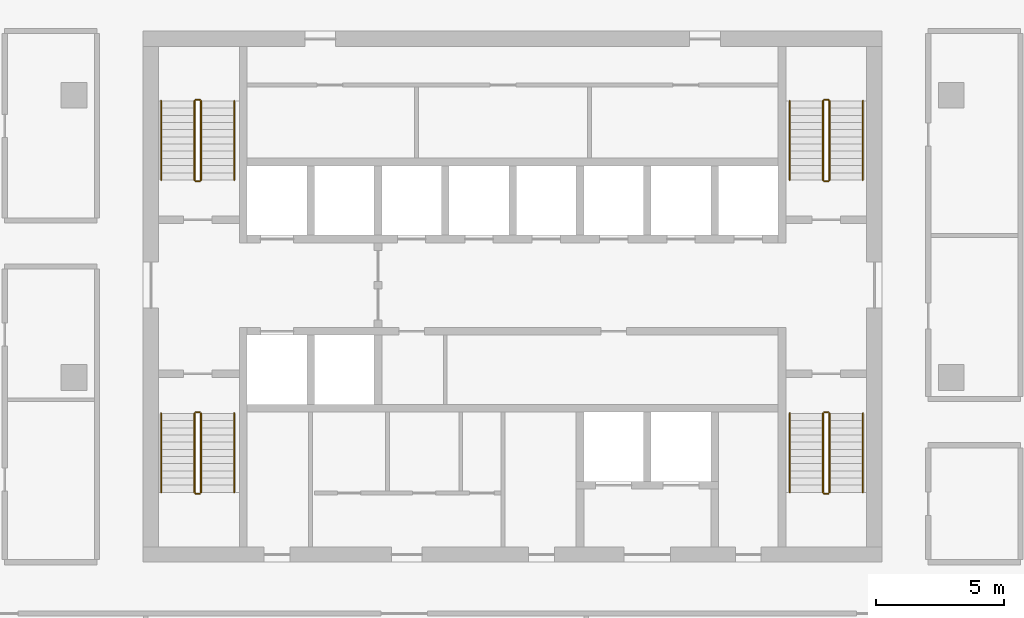
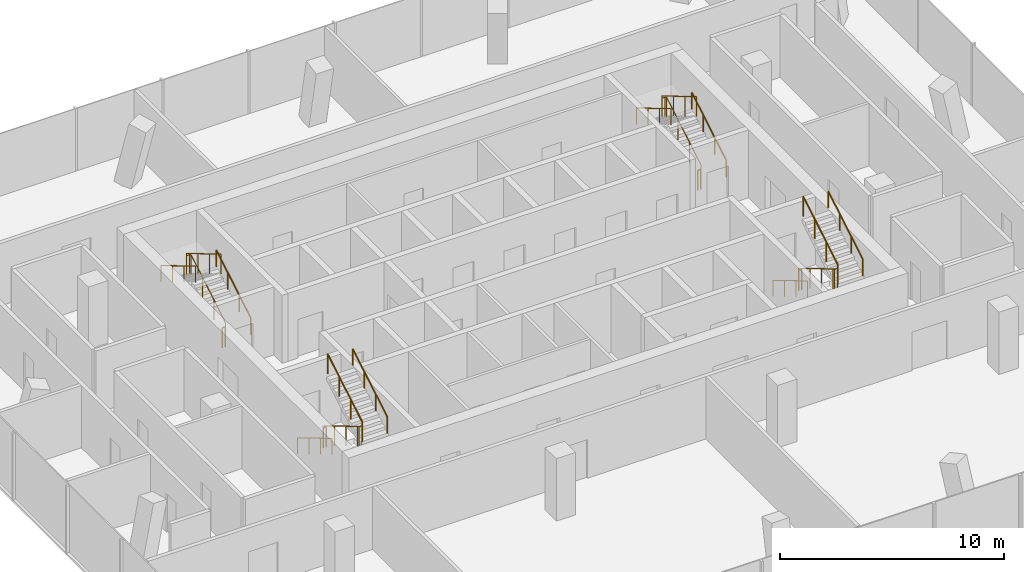
# One storey, part 11 of 11: 20 railings.
"""IFC4 building model written with IfcOpenShell, lengths in metres."""

from ifc_helpers import new_model, si_unit, direction, frame, origin, origin_2d, place, context, subcontext, project, spatial, circle, extrude, material, type_object, element, save


model = new_model("IFC4")

# Units and contexts
model_context = context("Model", 3, precision=1e-05, world=origin(), true_north=direction((0.0, 1.0)))
body_context = subcontext(model_context, "Body", "Model", "MODEL_VIEW")
ifc_project = project(units=[si_unit("LENGTHUNIT", "METRE"), si_unit("AREAUNIT", "SQUARE_METRE"), si_unit("VOLUMEUNIT", "CUBIC_METRE"), si_unit("PLANEANGLEUNIT", "RADIAN"), si_unit("MASSUNIT", "GRAM", prefix="KILO")], contexts=[model_context])

# Site, building, storey
site_placement = place(None, origin())
site = spatial("IfcSite", under=ifc_project, at=site_placement, CompositionType="ELEMENT")
building_placement = place(site_placement, origin())
building = spatial("IfcBuilding", under=site, at=building_placement, Name="Mopane Tessera Tower", CompositionType="ELEMENT")
storey_placement = place(building_placement, frame((0.0, 0.0, 333.39990234375)))
storey = spatial("IfcBuildingStorey", under=building, at=storey_placement, Name="L73", CompositionType="ELEMENT", Elevation=333.39990234375)

# Railings
ifc_material_1 = material(Name="Powder-coated steel balustrade", Category="steel")
railing_type_1 = type_object("IfcRailingType", Name="Escape stair guard 1100 mm", PredefinedType="GUARDRAIL", material=ifc_material_1)
railing_1_placement = place(storey_placement, frame((-12.39990234375, -1.39990234375, 0.166748046875)))
element("IfcRailing", 1, at=railing_1_placement, inside=storey, type_object=railing_type_1, Name="L73 ST1 stair guard 1", PredefinedType="GUARDRAIL", context=body_context, shape_type="SweptSolid", body=[
    extrude(circle(Radius=0.02392578125, at=origin_2d()), frame((0.0, 0.0, 1.076171875), z_axis=(0.0, -0.859308565015, 0.511457515432), x_axis=(1.0, 0.0, 0.0)), (0.0, 0.0, 1.0), 3.58447265625),
    extrude(circle(Radius=0.02392578125, at=origin_2d()), frame((0.0, -3.080078125, 2.9091796875), z_axis=(0.705375805398, -0.708833529934, 0.0), x_axis=(0.708833529934, 0.705375805398, 0.0)), (0.0, 0.0, 1.0), 0.070556640625),
    extrude(circle(Radius=0.02392578125, at=origin_2d()), frame((0.0498046875, -3.130126953125, 2.9091796875), z_axis=(1.0, 0.0, 0.0), x_axis=(0.0, 1.0, 0.0)), (0.0, 0.0, 1.0), 0.150146484375),
    extrude(circle(Radius=0.02099609375, at=origin_2d()), origin(), (0.0, 0.0, 1.0), 1.052001953125),
    extrude(circle(Radius=0.02099609375, at=origin_2d()), frame((0.0, -1.026611328125, 0.611083984375)), (0.0, 0.0, 1.0), 1.052001953125),
    extrude(circle(Radius=0.02099609375, at=origin_2d()), frame((0.0, -2.053466796875, 1.22216796875)), (0.0, 0.0, 1.0), 1.052001953125),
    extrude(circle(Radius=0.02099609375, at=origin_2d()), frame((0.0, -3.080078125, 1.833251953125)), (0.0, 0.0, 1.0), 1.052001953125),
    extrude(circle(Radius=0.02099609375, at=origin_2d()), frame((0.0498046875, -3.130126953125, 1.833251953125)), (0.0, 0.0, 1.0), 1.052001953125),
    extrude(circle(Radius=0.02099609375, at=origin_2d()), frame((0.199951171875, -3.130126953125, 1.833251953125)), (0.0, 0.0, 1.0), 1.052001953125),
])
railing_2_placement = place(storey_placement, frame((-12.14990234375, -4.47998046875, 2.166748046875)))
element("IfcRailing", 2, at=railing_2_placement, inside=storey, type_object=railing_type_1, Name="L73 ST1 stair guard 2", PredefinedType="GUARDRAIL", context=body_context, shape_type="SweptSolid", body=[
    extrude(circle(Radius=0.02392578125, at=origin_2d()), frame((0.0, 0.0, 1.076171875), z_axis=(0.0, 0.859308565015, 0.511457515432), x_axis=(-1.0, 0.0, 0.0)), (0.0, 0.0, 1.0), 3.58447265625),
    extrude(circle(Radius=0.02099609375, at=origin_2d()), origin(), (0.0, 0.0, 1.0), 1.052001953125),
    extrude(circle(Radius=0.02099609375, at=origin_2d()), frame((0.0, 1.026611328125, 0.611083984375)), (0.0, 0.0, 1.0), 1.052001953125),
    extrude(circle(Radius=0.02099609375, at=origin_2d()), frame((0.0, 2.053466796875, 1.22216796875)), (0.0, 0.0, 1.0), 1.052001953125),
    extrude(circle(Radius=0.02099609375, at=origin_2d()), frame((0.0, 3.080078125, 1.833251953125)), (0.0, 0.0, 1.0), 1.052001953125),
])
railing_3_placement = place(storey_placement, frame((-12.35009765625, -1.35009765625, 0.0)))
element("IfcRailing", 3, at=railing_3_placement, inside=storey, type_object=railing_type_1, Name="L73 ST1 stair guard 3", PredefinedType="GUARDRAIL", context=body_context, shape_type="SweptSolid", body=[
    extrude(circle(Radius=0.02392578125, at=origin_2d()), frame((0.0, 0.0, 1.076171875), z_axis=(1.0, 0.0, 0.0), x_axis=(0.0, 1.0, 0.0)), (0.0, 0.0, 1.0), 0.150146484375),
    extrude(circle(Radius=0.02099609375, at=origin_2d()), origin(), (0.0, 0.0, 1.0), 1.052001953125),
    extrude(circle(Radius=0.02099609375, at=origin_2d()), frame((0.150146484375, 0.0, 0.0)), (0.0, 0.0, 1.0), 1.052001953125),
])
railing_4_placement = place(storey_placement, frame((-12.14990234375, 7.699951171875, 0.166748046875)))
element("IfcRailing", 4, at=railing_4_placement, inside=storey, type_object=railing_type_1, Name="L73 ST2 stair guard 1", PredefinedType="GUARDRAIL", context=body_context, shape_type="SweptSolid", body=[
    extrude(circle(Radius=0.02392578125, at=origin_2d()), frame((0.0, 0.0, 1.076171875), z_axis=(0.0, 0.859308565015, 0.511457515432), x_axis=(-1.0, 0.0, 0.0)), (0.0, 0.0, 1.0), 3.58447265625),
    extrude(circle(Radius=0.02392578125, at=origin_2d()), frame((0.0, 3.080078125, 2.9091796875), z_axis=(-0.707106781187, 0.707106781187, 0.0), x_axis=(-0.707106781187, -0.707106781187, 0.0)), (0.0, 0.0, 1.0), 0.07080078125),
    extrude(circle(Radius=0.02392578125, at=origin_2d()), frame((-0.050048828125, 3.130126953125, 2.9091796875), z_axis=(-1.0, 0.0, 0.0), x_axis=(0.0, -1.0, 0.0)), (0.0, 0.0, 1.0), 0.150146484375),
    extrude(circle(Radius=0.02099609375, at=origin_2d()), origin(), (0.0, 0.0, 1.0), 1.052001953125),
    extrude(circle(Radius=0.02099609375, at=origin_2d()), frame((0.0, 1.026611328125, 0.611083984375)), (0.0, 0.0, 1.0), 1.052001953125),
    extrude(circle(Radius=0.02099609375, at=origin_2d()), frame((0.0, 2.053466796875, 1.22216796875)), (0.0, 0.0, 1.0), 1.052001953125),
    extrude(circle(Radius=0.02099609375, at=origin_2d()), frame((0.0, 3.080078125, 1.833251953125)), (0.0, 0.0, 1.0), 1.052001953125),
    extrude(circle(Radius=0.02099609375, at=origin_2d()), frame((-0.050048828125, 3.130126953125, 1.833251953125)), (0.0, 0.0, 1.0), 1.052001953125),
    extrude(circle(Radius=0.02099609375, at=origin_2d()), frame((-0.2001953125, 3.130126953125, 1.833251953125)), (0.0, 0.0, 1.0), 1.052001953125),
])
railing_5_placement = place(storey_placement, frame((-12.39990234375, 10.780029296875, 2.166748046875)))
element("IfcRailing", 5, at=railing_5_placement, inside=storey, type_object=railing_type_1, Name="L73 ST2 stair guard 2", PredefinedType="GUARDRAIL", context=body_context, shape_type="SweptSolid", body=[
    extrude(circle(Radius=0.02392578125, at=origin_2d()), frame((0.0, 0.0, 1.076171875), z_axis=(0.0, -0.859308565015, 0.511457515432), x_axis=(1.0, 0.0, 0.0)), (0.0, 0.0, 1.0), 3.58447265625),
    extrude(circle(Radius=0.02099609375, at=origin_2d()), origin(), (0.0, 0.0, 1.0), 1.052001953125),
    extrude(circle(Radius=0.02099609375, at=origin_2d()), frame((0.0, -1.026611328125, 0.611083984375)), (0.0, 0.0, 1.0), 1.052001953125),
    extrude(circle(Radius=0.02099609375, at=origin_2d()), frame((0.0, -2.053466796875, 1.22216796875)), (0.0, 0.0, 1.0), 1.052001953125),
    extrude(circle(Radius=0.02099609375, at=origin_2d()), frame((0.0, -3.080078125, 1.833251953125)), (0.0, 0.0, 1.0), 1.052001953125),
])
railing_6_placement = place(storey_placement, frame((-12.199951171875, 7.64990234375, 0.0)))
element("IfcRailing", 6, at=railing_6_placement, inside=storey, type_object=railing_type_1, Name="L73 ST2 stair guard 3", PredefinedType="GUARDRAIL", context=body_context, shape_type="SweptSolid", body=[
    extrude(circle(Radius=0.02392578125, at=origin_2d()), frame((0.0, 0.0, 1.076171875), z_axis=(-1.0, 0.0, 0.0), x_axis=(0.0, -1.0, 0.0)), (0.0, 0.0, 1.0), 0.150146484375),
    extrude(circle(Radius=0.02099609375, at=origin_2d()), origin(), (0.0, 0.0, 1.0), 1.052001953125),
    extrude(circle(Radius=0.02099609375, at=origin_2d()), frame((-0.150146484375, 0.0, 0.0)), (0.0, 0.0, 1.0), 1.052001953125),
])
railing_7_placement = place(storey_placement, frame((12.10009765625, -1.39990234375, 0.166748046875)))
element("IfcRailing", 7, at=railing_7_placement, inside=storey, type_object=railing_type_1, Name="L73 ST3 stair guard 1", PredefinedType="GUARDRAIL", context=body_context, shape_type="SweptSolid", body=[
    extrude(circle(Radius=0.02392578125, at=origin_2d()), frame((0.0, 0.0, 1.076171875), z_axis=(0.0, -0.859308565015, 0.511457515432), x_axis=(1.0, 0.0, 0.0)), (0.0, 0.0, 1.0), 3.58447265625),
    extrude(circle(Radius=0.02392578125, at=origin_2d()), frame((0.0, -3.080078125, 2.9091796875), z_axis=(0.705375805398, -0.708833529934, 0.0), x_axis=(0.708833529934, 0.705375805398, 0.0)), (0.0, 0.0, 1.0), 0.070556640625),
    extrude(circle(Radius=0.02392578125, at=origin_2d()), frame((0.0498046875, -3.130126953125, 2.9091796875), z_axis=(1.0, 0.0, 0.0), x_axis=(0.0, 1.0, 0.0)), (0.0, 0.0, 1.0), 0.150146484375),
    extrude(circle(Radius=0.02099609375, at=origin_2d()), origin(), (0.0, 0.0, 1.0), 1.052001953125),
    extrude(circle(Radius=0.02099609375, at=origin_2d()), frame((0.0, -1.026611328125, 0.611083984375)), (0.0, 0.0, 1.0), 1.052001953125),
    extrude(circle(Radius=0.02099609375, at=origin_2d()), frame((0.0, -2.053466796875, 1.22216796875)), (0.0, 0.0, 1.0), 1.052001953125),
    extrude(circle(Radius=0.02099609375, at=origin_2d()), frame((0.0, -3.080078125, 1.833251953125)), (0.0, 0.0, 1.0), 1.052001953125),
    extrude(circle(Radius=0.02099609375, at=origin_2d()), frame((0.0498046875, -3.130126953125, 1.833251953125)), (0.0, 0.0, 1.0), 1.052001953125),
    extrude(circle(Radius=0.02099609375, at=origin_2d()), frame((0.199951171875, -3.130126953125, 1.833251953125)), (0.0, 0.0, 1.0), 1.052001953125),
])
railing_8_placement = place(storey_placement, frame((12.35009765625, -4.47998046875, 2.166748046875)))
element("IfcRailing", 8, at=railing_8_placement, inside=storey, type_object=railing_type_1, Name="L73 ST3 stair guard 2", PredefinedType="GUARDRAIL", context=body_context, shape_type="SweptSolid", body=[
    extrude(circle(Radius=0.02392578125, at=origin_2d()), frame((0.0, 0.0, 1.076171875), z_axis=(0.0, 0.859308565015, 0.511457515432), x_axis=(-1.0, 0.0, 0.0)), (0.0, 0.0, 1.0), 3.58447265625),
    extrude(circle(Radius=0.02099609375, at=origin_2d()), origin(), (0.0, 0.0, 1.0), 1.052001953125),
    extrude(circle(Radius=0.02099609375, at=origin_2d()), frame((0.0, 1.026611328125, 0.611083984375)), (0.0, 0.0, 1.0), 1.052001953125),
    extrude(circle(Radius=0.02099609375, at=origin_2d()), frame((0.0, 2.053466796875, 1.22216796875)), (0.0, 0.0, 1.0), 1.052001953125),
    extrude(circle(Radius=0.02099609375, at=origin_2d()), frame((0.0, 3.080078125, 1.833251953125)), (0.0, 0.0, 1.0), 1.052001953125),
])
railing_9_placement = place(storey_placement, frame((12.14990234375, -1.35009765625, 0.0)))
element("IfcRailing", 9, at=railing_9_placement, inside=storey, type_object=railing_type_1, Name="L73 ST3 stair guard 3", PredefinedType="GUARDRAIL", context=body_context, shape_type="SweptSolid", body=[
    extrude(circle(Radius=0.02392578125, at=origin_2d()), frame((0.0, 0.0, 1.076171875), z_axis=(1.0, 0.0, 0.0), x_axis=(0.0, 1.0, 0.0)), (0.0, 0.0, 1.0), 0.150146484375),
    extrude(circle(Radius=0.02099609375, at=origin_2d()), origin(), (0.0, 0.0, 1.0), 1.052001953125),
    extrude(circle(Radius=0.02099609375, at=origin_2d()), frame((0.150146484375, 0.0, 0.0)), (0.0, 0.0, 1.0), 1.052001953125),
])
railing_10_placement = place(storey_placement, frame((12.35009765625, 7.699951171875, 0.166748046875)))
element("IfcRailing", 10, at=railing_10_placement, inside=storey, type_object=railing_type_1, Name="L73 ST4 stair guard 1", PredefinedType="GUARDRAIL", context=body_context, shape_type="SweptSolid", body=[
    extrude(circle(Radius=0.02392578125, at=origin_2d()), frame((0.0, 0.0, 1.076171875), z_axis=(0.0, 0.859308565015, 0.511457515432), x_axis=(-1.0, 0.0, 0.0)), (0.0, 0.0, 1.0), 3.58447265625),
    extrude(circle(Radius=0.02392578125, at=origin_2d()), frame((0.0, 3.080078125, 2.9091796875), z_axis=(-0.707106781187, 0.707106781187, 0.0), x_axis=(-0.707106781187, -0.707106781187, 0.0)), (0.0, 0.0, 1.0), 0.07080078125),
    extrude(circle(Radius=0.02392578125, at=origin_2d()), frame((-0.050048828125, 3.130126953125, 2.9091796875), z_axis=(-1.0, 0.0, 0.0), x_axis=(0.0, -1.0, 0.0)), (0.0, 0.0, 1.0), 0.150146484375),
    extrude(circle(Radius=0.02099609375, at=origin_2d()), origin(), (0.0, 0.0, 1.0), 1.052001953125),
    extrude(circle(Radius=0.02099609375, at=origin_2d()), frame((0.0, 1.026611328125, 0.611083984375)), (0.0, 0.0, 1.0), 1.052001953125),
    extrude(circle(Radius=0.02099609375, at=origin_2d()), frame((0.0, 2.053466796875, 1.22216796875)), (0.0, 0.0, 1.0), 1.052001953125),
    extrude(circle(Radius=0.02099609375, at=origin_2d()), frame((0.0, 3.080078125, 1.833251953125)), (0.0, 0.0, 1.0), 1.052001953125),
    extrude(circle(Radius=0.02099609375, at=origin_2d()), frame((-0.050048828125, 3.130126953125, 1.833251953125)), (0.0, 0.0, 1.0), 1.052001953125),
    extrude(circle(Radius=0.02099609375, at=origin_2d()), frame((-0.2001953125, 3.130126953125, 1.833251953125)), (0.0, 0.0, 1.0), 1.052001953125),
])
railing_11_placement = place(storey_placement, frame((12.10009765625, 10.780029296875, 2.166748046875)))
element("IfcRailing", 11, at=railing_11_placement, inside=storey, type_object=railing_type_1, Name="L73 ST4 stair guard 2", PredefinedType="GUARDRAIL", context=body_context, shape_type="SweptSolid", body=[
    extrude(circle(Radius=0.02392578125, at=origin_2d()), frame((0.0, 0.0, 1.076171875), z_axis=(0.0, -0.859308565015, 0.511457515432), x_axis=(1.0, 0.0, 0.0)), (0.0, 0.0, 1.0), 3.58447265625),
    extrude(circle(Radius=0.02099609375, at=origin_2d()), origin(), (0.0, 0.0, 1.0), 1.052001953125),
    extrude(circle(Radius=0.02099609375, at=origin_2d()), frame((0.0, -1.026611328125, 0.611083984375)), (0.0, 0.0, 1.0), 1.052001953125),
    extrude(circle(Radius=0.02099609375, at=origin_2d()), frame((0.0, -2.053466796875, 1.22216796875)), (0.0, 0.0, 1.0), 1.052001953125),
    extrude(circle(Radius=0.02099609375, at=origin_2d()), frame((0.0, -3.080078125, 1.833251953125)), (0.0, 0.0, 1.0), 1.052001953125),
])
railing_12_placement = place(storey_placement, frame((12.300048828125, 7.64990234375, 0.0)))
element("IfcRailing", 12, at=railing_12_placement, inside=storey, type_object=railing_type_1, Name="L73 ST4 stair guard 3", PredefinedType="GUARDRAIL", context=body_context, shape_type="SweptSolid", body=[
    extrude(circle(Radius=0.02392578125, at=origin_2d()), frame((0.0, 0.0, 1.076171875), z_axis=(-1.0, 0.0, 0.0), x_axis=(0.0, -1.0, 0.0)), (0.0, 0.0, 1.0), 0.150146484375),
    extrude(circle(Radius=0.02099609375, at=origin_2d()), origin(), (0.0, 0.0, 1.0), 1.052001953125),
    extrude(circle(Radius=0.02099609375, at=origin_2d()), frame((-0.150146484375, 0.0, 0.0)), (0.0, 0.0, 1.0), 1.052001953125),
])
ifc_material_2 = material(Name="Powder-coated steel balustrade", Category="steel")
railing_type_2 = type_object("IfcRailingType", Name="Escape stair handrail 900 mm", PredefinedType="HANDRAIL", material=ifc_material_2)
railing_13_placement = place(storey_placement, frame((-13.699951171875, -1.39990234375, 0.166748046875)))
element("IfcRailing", 13, at=railing_13_placement, inside=storey, type_object=railing_type_2, Name="L73 ST1 stair handrail 1", PredefinedType="HANDRAIL", context=body_context, shape_type="SweptSolid", body=[
    extrude(circle(Radius=0.02392578125, at=origin_2d()), frame((0.0, 0.0, 0.8759765625), z_axis=(0.0, -0.859308565015, 0.511457515432), x_axis=(1.0, 0.0, 0.0)), (0.0, 0.0, 1.0), 3.58447265625),
    extrude(circle(Radius=0.02099609375, at=origin_2d()), origin(), (0.0, 0.0, 1.0), 0.851806640625),
    extrude(circle(Radius=0.02099609375, at=origin_2d()), frame((0.0, -1.026611328125, 0.611083984375)), (0.0, 0.0, 1.0), 0.851806640625),
    extrude(circle(Radius=0.02099609375, at=origin_2d()), frame((0.0, -2.053466796875, 1.22216796875)), (0.0, 0.0, 1.0), 0.851806640625),
    extrude(circle(Radius=0.02099609375, at=origin_2d()), frame((0.0, -3.080078125, 1.833251953125)), (0.0, 0.0, 1.0), 0.851806640625),
])
for number, where, name in (
    (14, (-10.85009765625, -4.47998046875, 2.166748046875), "L73 ST1 stair handrail 2"),
    (15, (-10.85009765625, 7.699951171875, 0.166748046875), "L73 ST2 stair handrail 1"),
):
    element("IfcRailing", number, at=place(storey_placement, frame(where)), inside=storey, type_object=railing_type_2, Name=name, PredefinedType="HANDRAIL", context=body_context, shape_type="SweptSolid", body=[
        extrude(circle(Radius=0.02392578125, at=origin_2d()), frame((0.0, 0.0, 0.8759765625), z_axis=(0.0, 0.859308565015, 0.511457515432), x_axis=(-1.0, 0.0, 0.0)), (0.0, 0.0, 1.0), 3.58447265625),
        extrude(circle(Radius=0.02099609375, at=origin_2d()), origin(), (0.0, 0.0, 1.0), 0.851806640625),
        extrude(circle(Radius=0.02099609375, at=origin_2d()), frame((0.0, 1.026611328125, 0.611083984375)), (0.0, 0.0, 1.0), 0.851806640625),
        extrude(circle(Radius=0.02099609375, at=origin_2d()), frame((0.0, 2.053466796875, 1.22216796875)), (0.0, 0.0, 1.0), 0.851806640625),
        extrude(circle(Radius=0.02099609375, at=origin_2d()), frame((0.0, 3.080078125, 1.833251953125)), (0.0, 0.0, 1.0), 0.851806640625),
    ])
for number, where, name in (
    (16, (-13.699951171875, 10.780029296875, 2.166748046875), "L73 ST2 stair handrail 2"),
    (17, (10.800048828125, -1.39990234375, 0.166748046875), "L73 ST3 stair handrail 1"),
):
    element("IfcRailing", number, at=place(storey_placement, frame(where)), inside=storey, type_object=railing_type_2, Name=name, PredefinedType="HANDRAIL", context=body_context, shape_type="SweptSolid", body=[
        extrude(circle(Radius=0.02392578125, at=origin_2d()), frame((0.0, 0.0, 0.8759765625), z_axis=(0.0, -0.859308565015, 0.511457515432), x_axis=(1.0, 0.0, 0.0)), (0.0, 0.0, 1.0), 3.58447265625),
        extrude(circle(Radius=0.02099609375, at=origin_2d()), origin(), (0.0, 0.0, 1.0), 0.851806640625),
        extrude(circle(Radius=0.02099609375, at=origin_2d()), frame((0.0, -1.026611328125, 0.611083984375)), (0.0, 0.0, 1.0), 0.851806640625),
        extrude(circle(Radius=0.02099609375, at=origin_2d()), frame((0.0, -2.053466796875, 1.22216796875)), (0.0, 0.0, 1.0), 0.851806640625),
        extrude(circle(Radius=0.02099609375, at=origin_2d()), frame((0.0, -3.080078125, 1.833251953125)), (0.0, 0.0, 1.0), 0.851806640625),
    ])
for number, where, name in (
    (18, (13.64990234375, -4.47998046875, 2.166748046875), "L73 ST3 stair handrail 2"),
    (19, (13.64990234375, 7.699951171875, 0.166748046875), "L73 ST4 stair handrail 1"),
):
    element("IfcRailing", number, at=place(storey_placement, frame(where)), inside=storey, type_object=railing_type_2, Name=name, PredefinedType="HANDRAIL", context=body_context, shape_type="SweptSolid", body=[
        extrude(circle(Radius=0.02392578125, at=origin_2d()), frame((0.0, 0.0, 0.8759765625), z_axis=(0.0, 0.859308565015, 0.511457515432), x_axis=(-1.0, 0.0, 0.0)), (0.0, 0.0, 1.0), 3.58447265625),
        extrude(circle(Radius=0.02099609375, at=origin_2d()), origin(), (0.0, 0.0, 1.0), 0.851806640625),
        extrude(circle(Radius=0.02099609375, at=origin_2d()), frame((0.0, 1.026611328125, 0.611083984375)), (0.0, 0.0, 1.0), 0.851806640625),
        extrude(circle(Radius=0.02099609375, at=origin_2d()), frame((0.0, 2.053466796875, 1.22216796875)), (0.0, 0.0, 1.0), 0.851806640625),
        extrude(circle(Radius=0.02099609375, at=origin_2d()), frame((0.0, 3.080078125, 1.833251953125)), (0.0, 0.0, 1.0), 0.851806640625),
    ])
railing_14_placement = place(storey_placement, frame((10.800048828125, 10.780029296875, 2.166748046875)))
element("IfcRailing", 20, at=railing_14_placement, inside=storey, type_object=railing_type_2, Name="L73 ST4 stair handrail 2", PredefinedType="HANDRAIL", context=body_context, shape_type="SweptSolid", body=[
    extrude(circle(Radius=0.02392578125, at=origin_2d()), frame((0.0, 0.0, 0.8759765625), z_axis=(0.0, -0.859308565015, 0.511457515432), x_axis=(1.0, 0.0, 0.0)), (0.0, 0.0, 1.0), 3.58447265625),
    extrude(circle(Radius=0.02099609375, at=origin_2d()), origin(), (0.0, 0.0, 1.0), 0.851806640625),
    extrude(circle(Radius=0.02099609375, at=origin_2d()), frame((0.0, -1.026611328125, 0.611083984375)), (0.0, 0.0, 1.0), 0.851806640625),
    extrude(circle(Radius=0.02099609375, at=origin_2d()), frame((0.0, -2.053466796875, 1.22216796875)), (0.0, 0.0, 1.0), 0.851806640625),
    extrude(circle(Radius=0.02099609375, at=origin_2d()), frame((0.0, -3.080078125, 1.833251953125)), (0.0, 0.0, 1.0), 0.851806640625),
])

save(model, "model.ifc")
